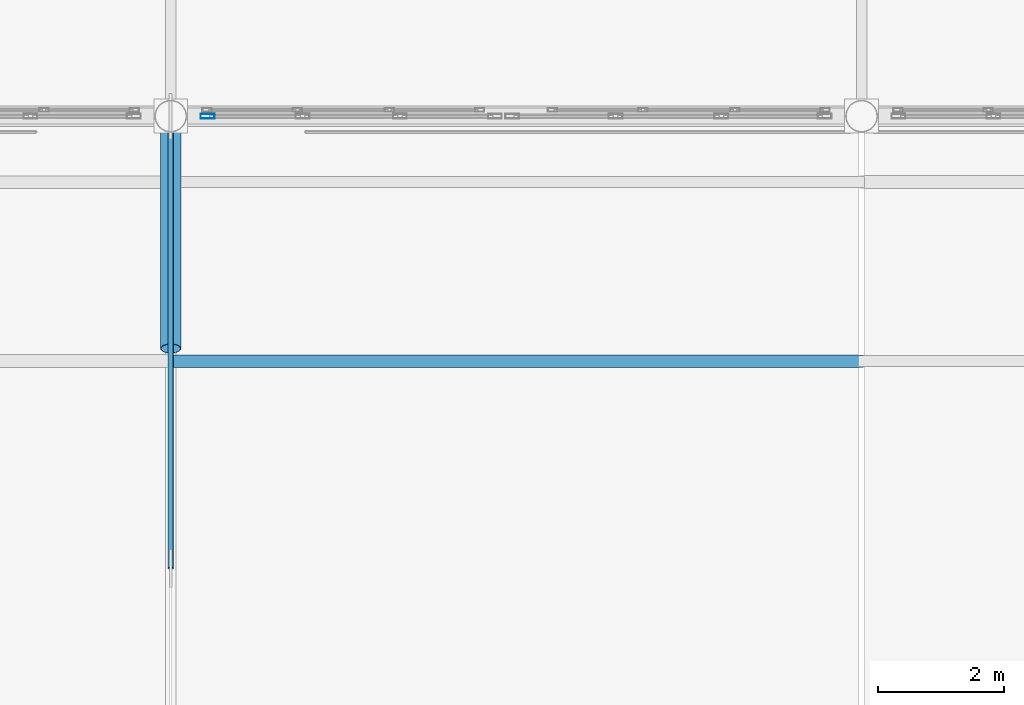
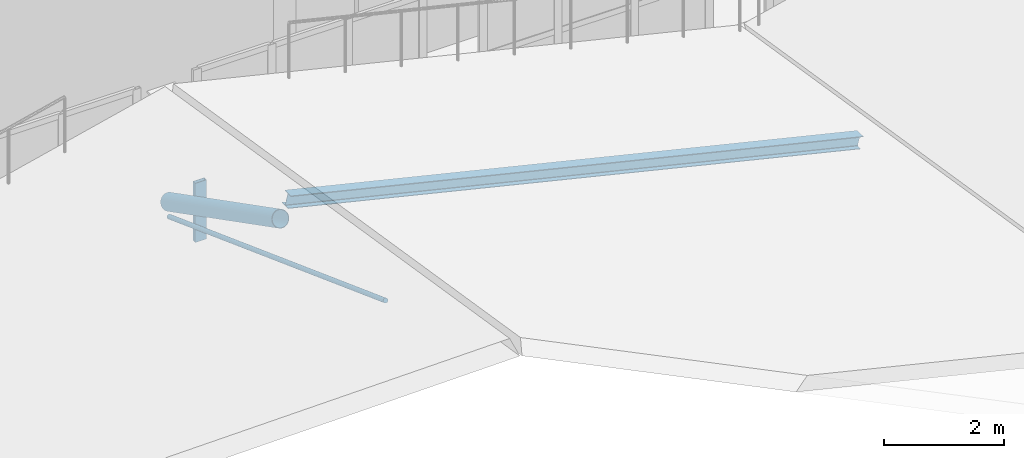
# One storey, part 30 of 120: 4 members, 1 element without a shape of its own.
"""IFC4 building model written with IfcOpenShell, lengths in metres."""

from ifc_helpers import new_model, si_unit, direction, frame, origin, origin_2d, place, context, subcontext, project, spatial, hollow_rectangle, circle, hollow_circle, i_section, extrude, material, material_profile, profile_set, type_object, element, aggregate, save


model = new_model("IFC4")

# Units and contexts
model_context = context("Model", 3, precision=1e-05, world=origin(), true_north=direction((0.0, 1.0)))
body_context = subcontext(model_context, "Body", "Model", "MODEL_VIEW")
ifc_project = project(units=[si_unit("LENGTHUNIT", "METRE"), si_unit("AREAUNIT", "SQUARE_METRE"), si_unit("VOLUMEUNIT", "CUBIC_METRE"), si_unit("PLANEANGLEUNIT", "RADIAN"), si_unit("MASSUNIT", "GRAM", prefix="KILO")], contexts=[model_context])

# Site, building, storey
site_placement = place(None, origin())
site = spatial("IfcSite", under=ifc_project, at=site_placement, CompositionType="ELEMENT")
building_placement = place(site_placement, origin())
building = spatial("IfcBuilding", under=site, at=building_placement, Name="Caurita Quay Ferry Terminal", CompositionType="ELEMENT")
storey_placement = place(building_placement, frame((0.0, 0.0, 9.89990234375)))
storey = spatial("IfcBuildingStorey", under=building, at=storey_placement, Name="L02", CompositionType="ELEMENT", Elevation=9.89990234375)

# Curtain wall, member
ifc_material_1 = material(Name="Laminated solar-control insulated glass", Category="glass")
curtain_wall_type = type_object("IfcCurtainWallType", Name="CW-SYS-05", PredefinedType="NOTDEFINED", material=ifc_material_1)
curtain_wall_placement = place(storey_placement, origin())
curtain_wall = element("IfcCurtainWall", 1, at=curtain_wall_placement, inside=storey, type_object=curtain_wall_type, Name="Folded Roof Clerestory FB-03-N3", PredefinedType="NOTDEFINED")
ifc_material_2 = material(Name="Anodized aluminium 6063-T6", Category="aluminium")
ifc_material_profile_1 = material_profile(ifc_material_2, hollow_rectangle(XDim=0.074951171875, YDim=0.219970703125, WallThickness=0.00390625, at=origin_2d()), Name="ALU-MUL-75X220")
ifc_profile_set_1 = profile_set([ifc_material_profile_1], Name="Anodized aluminium 6063-T6")
member_type_1 = type_object("IfcMemberType", Name="CW-MUL-220", PredefinedType="MULLION", material=ifc_profile_set_1)
member_1_placement = place(storey_placement, frame((55.58740234375, 62.699951171875, -0.122802734375), z_axis=(0.0, 0.0, 1.0), x_axis=(0.0, 1.0, 0.0)))
member_1 = element("IfcMember", 2, at=member_1_placement, type_object=member_type_1, Name="CW-CLR-023 Mullion 1", PredefinedType="MULLION", context=body_context, shape_type="SweptSolid", body=[
    extrude(hollow_rectangle(XDim=0.074951171875, YDim=0.219970703125, WallThickness=0.00390625, at=origin_2d()), origin(), (0.0, 0.0, 1.0), 1.199951171875),
])
aggregate(curtain_wall, [member_1])

# Members
ifc_material_3 = material(Name="Structural stay cable steel ASTM A586", Category="steel")
ifc_material_profile_2 = material_profile(ifc_material_3, circle(Radius=0.044921875, at=origin_2d()), Name="CABLE-D90")
ifc_profile_set_2 = profile_set([ifc_material_profile_2], Name="Structural stay cable steel ASTM A586")
member_type_2 = type_object("IfcMemberType", Name="MEM-CBL-90", PredefinedType="USERDEFINED", material=ifc_profile_set_2)
member_2_placement = place(storey_placement, frame((55.0, 62.699951171875, 0.550048828125), z_axis=(0.0, -0.938023948445, 0.346570443263), x_axis=(1.0, 0.0, 0.0)))
element("IfcMember", 3, at=member_2_placement, inside=storey, type_object=member_type_2, Name="Folded Roof Stay Cable V1-06-N1", ObjectType="STAY CABLE", PredefinedType="USERDEFINED", context=body_context, shape_type="SweptSolid", body=[
    extrude(circle(Radius=0.044921875, at=origin_2d()), origin(), (0.0, 0.0, 1.0), 7.675537109375),
])
ifc_material_4 = material(Name="Structural steel ASTM A992 Gr. 50", Category="steel")
ifc_material_profile_3 = material_profile(ifc_material_4, i_section(OverallWidth=0.2021484375, OverallDepth=0.246337890625, WebThickness=0.00732421875, FlangeThickness=0.010986328125, FilletRadius=0.01025390625, at=origin_2d()), Name="W10X33")
ifc_profile_set_3 = profile_set([ifc_material_profile_3], Name="Structural steel ASTM A992 Gr. 50")
member_type_3 = type_object("IfcMemberType", Name="MEM-PUR-10", PredefinedType="PURLIN", material=ifc_profile_set_3)
member_3_placement = place(storey_placement, frame((55.0, 58.800048828125, 3.26416015625), z_axis=(0.972384559308, 0.0, -0.23338437998), x_axis=(0.0, 1.0, 0.0)))
element("IfcMember", 4, at=member_3_placement, inside=storey, type_object=member_type_3, Name="Folded Roof Purlin PUR-059", PredefinedType="PURLIN", context=body_context, shape_type="SweptSolid", body=[
    extrude(i_section(OverallWidth=0.2021484375, OverallDepth=0.246337890625, WebThickness=0.00732421875, FlangeThickness=0.010986328125, FilletRadius=0.01025390625, at=origin_2d()), origin(), (0.0, 0.0, 1.0), 11.3125),
])
ifc_material_5 = material(Name="Hollow structural steel ASTM A500 Gr. C", Category="steel")
ifc_material_profile_4 = material_profile(ifc_material_5, hollow_circle(Radius=0.161865234375, WallThickness=0.0087890625, at=origin_2d()), Name="HSS12.750X0.375")
ifc_profile_set_4 = profile_set([ifc_material_profile_4], Name="Hollow structural steel ASTM A500 Gr. C")
member_type_4 = type_object("IfcMemberType", Name="MEM-STR-12", PredefinedType="STRUT", material=ifc_profile_set_4)
member_4_placement = place(storey_placement, frame((55.0, 62.699951171875, 0.85009765625), z_axis=(0.0, -0.889574109345, 0.456790875547), x_axis=(1.0, 0.0, 0.0)))
element("IfcMember", 5, at=member_4_placement, inside=storey, type_object=member_type_4, Name="Mast Tree-Strut V1-06-S2", PredefinedType="STRUT", context=body_context, shape_type="SweptSolid", body=[
    extrude(hollow_circle(Radius=0.161865234375, WallThickness=0.0087890625, at=origin_2d()), origin(), (0.0, 0.0, 1.0), 4.1591796875),
])

save(model, "model.ifc")
